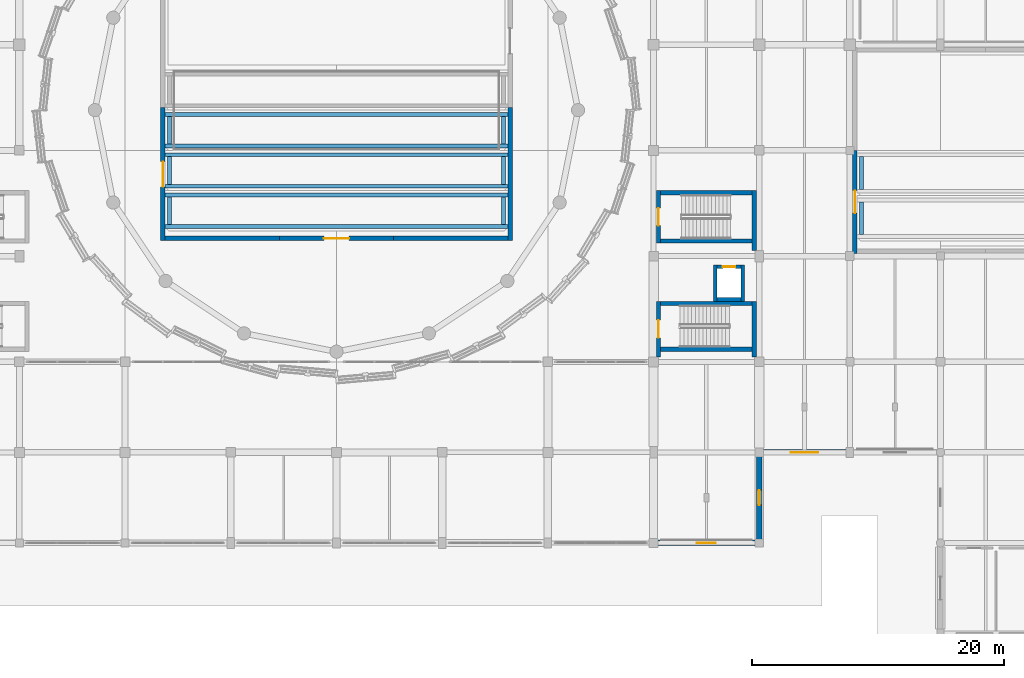
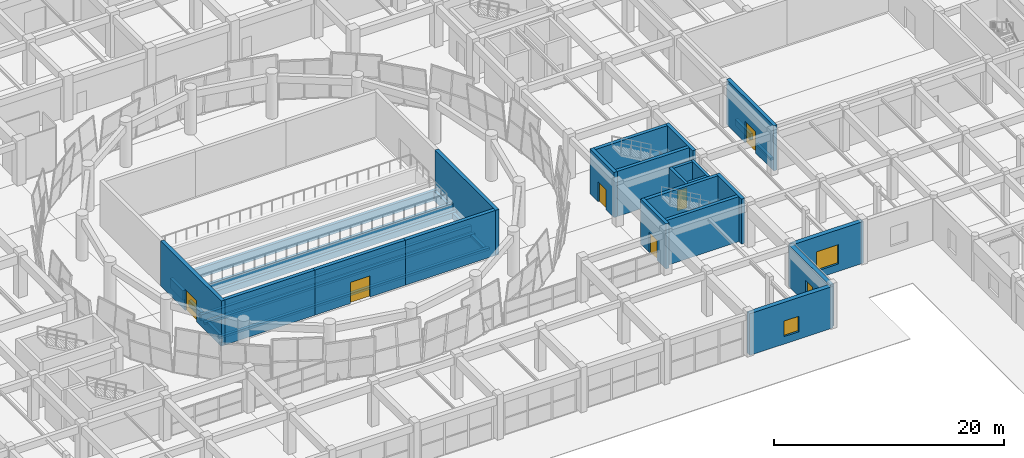
# One storey, part 47 of 72: 35 walls, 6 doors, 3 windows, 9 openings.
"""IFC4 building model written with IfcOpenShell, lengths in metres."""

from ifc_helpers import new_model, si_unit, direction, frame, frame_2d, origin, place, context, subcontext, project, spatial, rectangle, extrude, material, layer, layer_set, type_object, element, fill, save


model = new_model("IFC4")

# Units and contexts
model_context = context("Model", 3, precision=1e-05, world=origin(), true_north=direction((0.0, 1.0)))
body_context = subcontext(model_context, "Body", "Model", "MODEL_VIEW")
ifc_project = project(units=[si_unit("LENGTHUNIT", "METRE"), si_unit("AREAUNIT", "SQUARE_METRE"), si_unit("VOLUMEUNIT", "CUBIC_METRE"), si_unit("PLANEANGLEUNIT", "RADIAN"), si_unit("MASSUNIT", "GRAM", prefix="KILO")], contexts=[model_context])

# Site, building, storey
site_placement = place(None, origin())
site = spatial("IfcSite", under=ifc_project, at=site_placement, CompositionType="ELEMENT")
building_placement = place(site_placement, origin())
building = spatial("IfcBuilding", under=site, at=building_placement, Name="Korsvaeld Concert Hall", CompositionType="ELEMENT")
storey_placement = place(building_placement, origin())
storey = spatial("IfcBuildingStorey", under=building, at=storey_placement, Name="L00", CompositionType="ELEMENT", Elevation=0.0)

# Walls
ifc_material_1 = material(Name="Concrete C40/50", Category="concrete")
ifc_layer_1 = layer(ifc_material_1, 0.340087890625)
ifc_layer_set_1 = layer_set([ifc_layer_1], Name="Concrete C40/50")
wall_type_1 = type_object("IfcWallType", Name="WL-CORE-340", PredefinedType="SHEAR", material=ifc_layer_set_1)
wall_1_placement = place(storey_placement, frame((109.77001953125, 44.199951171875, 0.0), z_axis=(0.0, 0.0, 1.0), x_axis=(1.0, 0.0, 0.0)))
element("IfcWall", 1, at=wall_1_placement, inside=storey, type_object=wall_type_1, Name="Core K4 shear wall L00 S", PredefinedType="SHEAR", context=body_context, shape_type="SweptSolid", body=[
    extrude(rectangle(XDim=7.260009765625, YDim=0.340087890625, at=frame_2d((3.6298828125, 0.0))), origin(), (0.0, 0.0, 1.0), 4.800048828125),
])
wall_2_placement = place(storey_placement, frame((117.199951171875, 43.574951171875, 0.0), z_axis=(0.0, 0.0, 1.0), x_axis=(0.0, 1.0, 0.0)))
element("IfcWall", 2, at=wall_2_placement, inside=storey, type_object=wall_type_1, Name="Core K4 shear wall L00 E", PredefinedType="SHEAR", context=body_context, shape_type="SweptSolid", body=[
    extrude(rectangle(XDim=4.43505859375, YDim=0.340087890625, at=frame_2d((2.217529296875, 0.0))), origin(), (0.0, 0.0, 1.0), 4.800048828125),
])
wall_3_placement = place(storey_placement, frame((117.030029296875, 47.840087890625, 0.0), z_axis=(0.0, 0.0, 1.0), x_axis=(-1.0, 0.0, 0.0)))
element("IfcWall", 3, at=wall_3_placement, inside=storey, type_object=wall_type_1, Name="Core K4 shear wall L00 N", PredefinedType="SHEAR", context=body_context, shape_type="SweptSolid", body=[
    extrude(rectangle(XDim=7.260009765625, YDim=0.340087890625, at=frame_2d((3.6298828125, 0.0))), origin(), (0.0, 0.0, 1.0), 4.800048828125),
])

# Wall, opening, door
wall_4_placement = place(storey_placement, frame((109.60009765625, 48.010009765625, 0.0), z_axis=(0.0, 0.0, 1.0), x_axis=(0.0, -1.0, 0.0)))
wall_4 = element("IfcWall", 4, at=wall_4_placement, inside=storey, type_object=wall_type_1, Name="Core K4 shear wall L00 W", PredefinedType="SHEAR", context=body_context, shape_type="SweptSolid", body=[
    extrude(rectangle(XDim=4.409912109375, YDim=0.340087890625, at=frame_2d((2.205078125, 0.0))), origin(), (0.0, 0.0, 1.0), 4.800048828125),
])
opening_1_placement = place(wall_4_placement, frame((1.5048828125, 0.0, 0.0)))
opening_1 = element("IfcOpeningElement", 5, at=opening_1_placement, cuts=wall_4, Name="Opening FD-02", PredefinedType="OPENING", context=body_context, shape_type="SweptSolid", body=[
    extrude(rectangle(XDim=1.39990234375, YDim=2.14990234375, at=frame_2d((0.699951171875, 1.074951171875))), frame((0.0, 0.18017578125, 0.0), z_axis=(0.0, -1.0, 0.0), x_axis=(1.0, 0.0, 0.0)), (0.0, 0.0, 1.0), 0.360107421875),
])
ifc_material_2 = material(Name="Acoustic steel and oak fire door", Category="steel")
door_type_1 = type_object("IfcDoorType", Name="DR-FD-STAIR-140x215", OperationType="NOTDEFINED", PredefinedType="DOOR", material=ifc_material_2)
door_1_placement = place(opening_1_placement, frame((1.39990234375, 0.0, 0.0), z_axis=(0.0, 0.0, 1.0), x_axis=(-1.0, 0.0, 0.0)))
door_1 = element("IfcDoor", 6, at=door_1_placement, inside=storey, type_object=door_type_1, Name="Escape stair ST-K4 fire door L00", OperationType="SINGLE_SWING_LEFT", OverallHeight=2.14990234375, OverallWidth=1.39990234375, PredefinedType="DOOR", context=body_context, shape_type="SweptSolid", body=[
    extrude(rectangle(XDim=1.39990234375, YDim=2.14990234375, at=frame_2d((0.699951171875, 1.074951171875))), frame((0.0, 0.02490234375, 0.0), z_axis=(0.0, -1.0, 0.0), x_axis=(1.0, 0.0, 0.0)), (0.0, 0.0, 1.0), 0.050048828125),
])
fill(opening_1, door_1)

# Walls
wall_5_placement = place(storey_placement, frame((109.77001953125, 52.800048828125, 0.0), z_axis=(0.0, 0.0, 1.0), x_axis=(1.0, 0.0, 0.0)))
element("IfcWall", 7, at=wall_5_placement, inside=storey, type_object=wall_type_1, Name="Core F2 shear wall L00 S", PredefinedType="SHEAR", context=body_context, shape_type="SweptSolid", body=[
    extrude(rectangle(XDim=7.260009765625, YDim=0.340087890625, at=frame_2d((3.6298828125, 0.0))), origin(), (0.0, 0.0, 1.0), 4.800048828125),
])
wall_6_placement = place(storey_placement, frame((117.199951171875, 52.050048828125, 0.0), z_axis=(0.0, 0.0, 1.0), x_axis=(0.0, 1.0, 0.0)))
element("IfcWall", 8, at=wall_6_placement, inside=storey, type_object=wall_type_1, Name="Core F2 shear wall L00 E", PredefinedType="SHEAR", context=body_context, shape_type="SweptSolid", body=[
    extrude(rectangle(XDim=4.760009765625, YDim=0.340087890625, at=frame_2d((2.3798828125, 0.0))), origin(), (0.0, 0.0, 1.0), 4.800048828125),
])
wall_7_placement = place(storey_placement, frame((117.030029296875, 56.639892578125, 0.0), z_axis=(0.0, 0.0, 1.0), x_axis=(-1.0, 0.0, 0.0)))
element("IfcWall", 9, at=wall_7_placement, inside=storey, type_object=wall_type_1, Name="Core F2 shear wall L00 N", PredefinedType="SHEAR", context=body_context, shape_type="SweptSolid", body=[
    extrude(rectangle(XDim=7.260009765625, YDim=0.340087890625, at=frame_2d((3.6298828125, 0.0))), origin(), (0.0, 0.0, 1.0), 4.800048828125),
])

# Wall, opening, door
wall_8_placement = place(storey_placement, frame((109.60009765625, 56.81005859375, 0.0), z_axis=(0.0, 0.0, 1.0), x_axis=(0.0, -1.0, 0.0)))
wall_8 = element("IfcWall", 10, at=wall_8_placement, inside=storey, type_object=wall_type_1, Name="Core F2 shear wall L00 W", PredefinedType="SHEAR", context=body_context, shape_type="SweptSolid", body=[
    extrude(rectangle(XDim=4.18017578125, YDim=0.340087890625, at=frame_2d((2.090087890625, 0.0))), origin(), (0.0, 0.0, 1.0), 4.800048828125),
])
opening_2_placement = place(wall_8_placement, frame((1.389892578125, 0.0, 0.0)))
opening_2 = element("IfcOpeningElement", 11, at=opening_2_placement, cuts=wall_8, Name="Opening FD-02", PredefinedType="OPENING", context=body_context, shape_type="SweptSolid", body=[
    extrude(rectangle(XDim=1.39990234375, YDim=2.14990234375, at=frame_2d((0.699951171875, 1.074951171875))), frame((0.0, 0.18017578125, 0.0), z_axis=(0.0, -1.0, 0.0), x_axis=(1.0, 0.0, 0.0)), (0.0, 0.0, 1.0), 0.360107421875),
])
door_2_placement = place(opening_2_placement, frame((1.39990234375, 0.0, 0.0), z_axis=(0.0, 0.0, 1.0), x_axis=(-1.0, 0.0, 0.0)))
door_2 = element("IfcDoor", 12, at=door_2_placement, inside=storey, type_object=door_type_1, Name="Escape stair ST-F2 fire door L00", OperationType="SINGLE_SWING_RIGHT", OverallHeight=2.14990234375, OverallWidth=1.39990234375, PredefinedType="DOOR", context=body_context, shape_type="SweptSolid", body=[
    extrude(rectangle(XDim=1.39990234375, YDim=2.14990234375, at=frame_2d((0.699951171875, 1.074951171875))), frame((0.0, 0.02490234375, 0.0), z_axis=(0.0, -1.0, 0.0), x_axis=(1.0, 0.0, 0.0)), (0.0, 0.0, 1.0), 0.050048828125),
])
fill(opening_2, door_2)

# Wall, opening, window
ifc_material_3 = material(Name="Coastal dark grey granite plinth on Concrete C35/45", Category="masonry")
ifc_layer_2 = layer(ifc_material_3, 0.43994140625)
ifc_layer_set_2 = layer_set([ifc_layer_2], Name="Coastal dark grey granite plinth on Concrete C35/45")
wall_type_2 = type_object("IfcWallType", Name="WL-EXT-GRAN-440", PredefinedType="STANDARD", material=ifc_layer_set_2)
wall_9_placement = place(storey_placement, frame((124.800048828125, 36.0, 0.0), z_axis=(0.0, 0.0, 1.0), x_axis=(-1.0, 0.0, 0.0)))
wall_9 = element("IfcWall", 13, at=wall_9_placement, inside=storey, type_object=wall_type_2, Name="Exterior sandstone wall L00-115", PredefinedType="STANDARD", context=body_context, shape_type="SweptSolid", body=[
    extrude(rectangle(XDim=7.199951171875, YDim=0.43994140625, at=frame_2d((3.60009765625, 0.0))), origin(), (0.0, 0.0, 1.0), 4.43994140625),
])
opening_3_placement = place(wall_9_placement, frame((2.5, 0.0, 0.800048828125)))
opening_3 = element("IfcOpeningElement", 14, at=opening_3_placement, cuts=wall_9, Name="Opening WN-13", PredefinedType="OPENING", context=body_context, shape_type="SweptSolid", body=[
    extrude(rectangle(XDim=2.199951171875, YDim=2.050048828125, at=frame_2d((1.10009765625, 1.02490234375))), frame((0.0, 0.22998046875, 0.0), z_axis=(0.0, -1.0, 0.0), x_axis=(1.0, 0.0, 0.0)), (0.0, 0.0, 1.0), 0.4599609375),
])
ifc_material_4 = material(Name="Anodised bronze frame with acoustic triple glazing", Category="glass")
window_type_1 = type_object("IfcWindowType", Name="WIN-AC-220x205", PartitioningType="SINGLE_PANEL", PredefinedType="WINDOW", material=ifc_material_4)
window_1_placement = place(opening_3_placement, origin())
window_1 = element("IfcWindow", 15, at=window_1_placement, inside=storey, type_object=window_type_1, Name="Acoustic triple-glazed window L00-026", OverallHeight=2.050048828125, OverallWidth=2.199951171875, PartitioningType="SINGLE_PANEL", PredefinedType="WINDOW", context=body_context, shape_type="SweptSolid", body=[
    extrude(rectangle(XDim=2.199951171875, YDim=2.050048828125, at=frame_2d((1.10009765625, 1.02490234375))), frame((0.0, 0.030029296875, 0.0), z_axis=(0.0, -1.0, 0.0), x_axis=(1.0, 0.0, 0.0)), (0.0, 0.0, 1.0), 0.06005859375),
])
fill(opening_3, window_1)

wall_10_placement = place(storey_placement, frame((117.60009765625, 36.0, 0.0), z_axis=(0.0, 0.0, 1.0), x_axis=(0.0, -1.0, 0.0)))
wall_10 = element("IfcWall", 16, at=wall_10_placement, inside=storey, type_object=wall_type_2, Name="Exterior sandstone wall L00-116", PredefinedType="STANDARD", context=body_context, shape_type="SweptSolid", body=[
    extrude(rectangle(XDim=7.199951171875, YDim=0.43994140625, at=frame_2d((3.60009765625, 0.0))), origin(), (0.0, 0.0, 1.0), 4.43994140625),
])
opening_4_placement = place(wall_10_placement, frame((3.0, 0.0, 0.800048828125)))
opening_4 = element("IfcOpeningElement", 17, at=opening_4_placement, cuts=wall_10, Name="Opening WN-01", PredefinedType="OPENING", context=body_context, shape_type="SweptSolid", body=[
    extrude(rectangle(XDim=1.199951171875, YDim=1.64990234375, at=frame_2d((0.60009765625, 0.824951171875))), frame((0.0, 0.22998046875, 0.0), z_axis=(0.0, -1.0, 0.0), x_axis=(1.0, 0.0, 0.0)), (0.0, 0.0, 1.0), 0.4599609375),
])
window_type_2 = type_object("IfcWindowType", Name="WIN-AC-120x165", PartitioningType="SINGLE_PANEL", PredefinedType="WINDOW", material=ifc_material_4)
window_2_placement = place(opening_4_placement, origin())
window_2 = element("IfcWindow", 18, at=window_2_placement, inside=storey, type_object=window_type_2, Name="Acoustic triple-glazed window L00-027", OverallHeight=1.64990234375, OverallWidth=1.199951171875, PartitioningType="SINGLE_PANEL", PredefinedType="WINDOW", context=body_context, shape_type="SweptSolid", body=[
    extrude(rectangle(XDim=1.199951171875, YDim=1.64990234375, at=frame_2d((0.60009765625, 0.824951171875))), frame((0.0, 0.030029296875, 0.0), z_axis=(0.0, -1.0, 0.0), x_axis=(1.0, 0.0, 0.0)), (0.0, 0.0, 1.0), 0.06005859375),
])
fill(opening_4, window_2)

wall_11_placement = place(storey_placement, frame((117.60009765625, 28.800048828125, 0.0), z_axis=(0.0, 0.0, 1.0), x_axis=(-1.0, 0.0, 0.0)))
wall_11 = element("IfcWall", 19, at=wall_11_placement, inside=storey, type_object=wall_type_2, Name="Exterior sandstone wall L00-117", PredefinedType="STANDARD", context=body_context, shape_type="SweptSolid", body=[
    extrude(rectangle(XDim=8.400146484375, YDim=0.43994140625, at=frame_2d((4.2001953125, 0.0))), origin(), (0.0, 0.0, 1.0), 4.43994140625),
])
opening_5_placement = place(wall_11_placement, frame((3.449951171875, 0.0, 0.800048828125)))
opening_5 = element("IfcOpeningElement", 20, at=opening_5_placement, cuts=wall_11, Name="Opening WN-02", PredefinedType="OPENING", context=body_context, shape_type="SweptSolid", body=[
    extrude(rectangle(XDim=1.5, YDim=1.64990234375, at=frame_2d((0.75, 0.824951171875))), frame((0.0, 0.22998046875, 0.0), z_axis=(0.0, -1.0, 0.0), x_axis=(1.0, 0.0, 0.0)), (0.0, 0.0, 1.0), 0.4599609375),
])
window_type_3 = type_object("IfcWindowType", Name="WIN-AC-150x165", PartitioningType="SINGLE_PANEL", PredefinedType="WINDOW", material=ifc_material_4)
window_3_placement = place(opening_5_placement, origin())
window_3 = element("IfcWindow", 21, at=window_3_placement, inside=storey, type_object=window_type_3, Name="Acoustic triple-glazed window L00-028", OverallHeight=1.64990234375, OverallWidth=1.5, PartitioningType="SINGLE_PANEL", PredefinedType="WINDOW", context=body_context, shape_type="SweptSolid", body=[
    extrude(rectangle(XDim=1.5, YDim=1.64990234375, at=frame_2d((0.75, 0.824951171875))), frame((0.0, 0.030029296875, 0.0), z_axis=(0.0, -1.0, 0.0), x_axis=(1.0, 0.0, 0.0)), (0.0, 0.0, 1.0), 0.06005859375),
])
fill(opening_5, window_3)

# Wall
ifc_material_5 = material(Name="Bornholm Nexo crimson sandstone on Concrete C40/50", Category="masonry")
ifc_layer_3 = layer(ifc_material_5, 0.360107421875)
ifc_layer_set_3 = layer_set([ifc_layer_3], Name="Bornholm Nexo crimson sandstone on Concrete C40/50")
wall_type_3 = type_object("IfcWallType", Name="WL-HALL-360", PredefinedType="SHEAR", material=ifc_layer_set_3)
wall_12_placement = place(storey_placement, frame((70.3798828125, 53.0, 0.0), z_axis=(0.0, 0.0, 1.0), x_axis=(1.0, 0.0, 0.0)))
element("IfcWall", 22, at=wall_12_placement, inside=storey, type_object=wall_type_3, Name="Acoustic hall box wall V1H L00 S.1", PredefinedType="SHEAR", context=body_context, shape_type="SweptSolid", body=[
    extrude(rectangle(XDim=9.080078125, YDim=0.360107421875, at=frame_2d((4.5400390625, 0.0))), origin(), (0.0, 0.0, 1.0), 4.800048828125),
])

# Wall, opening, door
wall_13_placement = place(storey_placement, frame((79.4599609375, 53.0, 0.0), z_axis=(0.0, 0.0, 1.0), x_axis=(1.0, 0.0, 0.0)))
wall_13 = element("IfcWall", 23, at=wall_13_placement, inside=storey, type_object=wall_type_3, Name="Acoustic hall box wall V1H L00 S.2", PredefinedType="SHEAR", context=body_context, shape_type="SweptSolid", body=[
    extrude(rectangle(XDim=9.080078125, YDim=0.360107421875, at=frame_2d((4.5400390625, 0.0))), origin(), (0.0, 0.0, 1.0), 4.800048828125),
])
opening_6_placement = place(wall_13_placement, frame((3.5400390625, 0.0, 0.0)))
opening_6 = element("IfcOpeningElement", 24, at=opening_6_placement, cuts=wall_13, Name="Opening FD-04", PredefinedType="OPENING", context=body_context, shape_type="SweptSolid", body=[
    extrude(rectangle(XDim=2.0, YDim=2.25, at=frame_2d((1.0, 1.125))), frame((0.0, 0.18994140625, 0.0), z_axis=(0.0, -1.0, 0.0), x_axis=(1.0, 0.0, 0.0)), (0.0, 0.0, 1.0), 0.380126953125),
])
ifc_material_6 = material(Name="Double acoustic oak sound-lock fire door")
door_type_2 = type_object("IfcDoorType", Name="DR-FD-HALL-200x225", OperationType="DOUBLE_DOOR_SINGLE_SWING", PredefinedType="DOOR", material=ifc_material_6)
door_3_placement = place(opening_6_placement, frame((2.0, 0.0, 0.0), z_axis=(0.0, 0.0, 1.0), x_axis=(-1.0, 0.0, 0.0)))
door_3 = element("IfcDoor", 25, at=door_3_placement, inside=storey, type_object=door_type_2, Name="Auditorium sound-lock fire door V1H L00 S.2", OperationType="DOUBLE_DOOR_SINGLE_SWING", OverallHeight=2.25, OverallWidth=2.0, PredefinedType="DOOR", context=body_context, shape_type="SweptSolid", body=[
    extrude(rectangle(XDim=2.0, YDim=2.25, at=frame_2d((1.0, 1.125))), frame((0.0, 0.02490234375, 0.0), z_axis=(0.0, -1.0, 0.0), x_axis=(1.0, 0.0, 0.0)), (0.0, 0.0, 1.0), 0.050048828125),
])
fill(opening_6, door_3)

# Walls
wall_14_placement = place(storey_placement, frame((88.5400390625, 53.0, 0.0), z_axis=(0.0, 0.0, 1.0), x_axis=(1.0, 0.0, 0.0)))
element("IfcWall", 26, at=wall_14_placement, inside=storey, type_object=wall_type_3, Name="Acoustic hall box wall V1H L00 S.3", PredefinedType="SHEAR", context=body_context, shape_type="SweptSolid", body=[
    extrude(rectangle(XDim=9.080078125, YDim=0.360107421875, at=frame_2d((4.5400390625, 0.0))), origin(), (0.0, 0.0, 1.0), 4.800048828125),
])
wall_15_placement = place(storey_placement, frame((97.800048828125, 52.820068359375, 0.0), z_axis=(0.0, 0.0, 1.0), x_axis=(0.0, 1.0, 0.0)))
element("IfcWall", 27, at=wall_15_placement, inside=storey, type_object=wall_type_3, Name="Acoustic hall box wall V1H L00 E.1", PredefinedType="SHEAR", context=body_context, shape_type="SweptSolid", body=[
    extrude(rectangle(XDim=10.579833984375, YDim=0.360107421875, at=frame_2d((5.2900390625, 0.0))), origin(), (0.0, 0.0, 1.0), 4.800048828125),
])

# Wall, opening, door
wall_16_placement = place(storey_placement, frame((70.199951171875, 63.39990234375, 0.0), z_axis=(0.0, 0.0, 1.0), x_axis=(0.0, -1.0, 0.0)))
wall_16 = element("IfcWall", 28, at=wall_16_placement, inside=storey, type_object=wall_type_3, Name="Acoustic hall box wall V1H L00 W.2", PredefinedType="SHEAR", context=body_context, shape_type="SweptSolid", body=[
    extrude(rectangle(XDim=10.579833984375, YDim=0.360107421875, at=frame_2d((5.2900390625, 0.0))), origin(), (0.0, 0.0, 1.0), 4.800048828125),
])
opening_7_placement = place(wall_16_placement, frame((4.2900390625, 0.0, 0.0)))
opening_7 = element("IfcOpeningElement", 29, at=opening_7_placement, cuts=wall_16, Name="Opening FD-04", PredefinedType="OPENING", context=body_context, shape_type="SweptSolid", body=[
    extrude(rectangle(XDim=2.0, YDim=2.25, at=frame_2d((1.0, 1.125))), frame((0.0, 0.18994140625, 0.0), z_axis=(0.0, -1.0, 0.0), x_axis=(1.0, 0.0, 0.0)), (0.0, 0.0, 1.0), 0.380126953125),
])
door_4_placement = place(opening_7_placement, frame((2.0, 0.0, 0.0), z_axis=(0.0, 0.0, 1.0), x_axis=(-1.0, 0.0, 0.0)))
door_4 = element("IfcDoor", 30, at=door_4_placement, inside=storey, type_object=door_type_2, Name="Auditorium sound-lock fire door V1H L00 W.2", OperationType="DOUBLE_DOOR_SINGLE_SWING", OverallHeight=2.25, OverallWidth=2.0, PredefinedType="DOOR", context=body_context, shape_type="SweptSolid", body=[
    extrude(rectangle(XDim=2.0, YDim=2.25, at=frame_2d((1.0, 1.125))), frame((0.0, 0.02490234375, 0.0), z_axis=(0.0, -1.0, 0.0), x_axis=(1.0, 0.0, 0.0)), (0.0, 0.0, 1.0), 0.050048828125),
])
fill(opening_7, door_4)

wall_17_placement = place(storey_placement, frame((125.199951171875, 60.0, 0.0), z_axis=(0.0, 0.0, 1.0), x_axis=(0.0, -1.0, 0.0)))
wall_17 = element("IfcWall", 31, at=wall_17_placement, inside=storey, type_object=wall_type_3, Name="Acoustic hall box wall V2H L00 W.2", PredefinedType="SHEAR", context=body_context, shape_type="SweptSolid", body=[
    extrude(rectangle(XDim=8.179931640625, YDim=0.360107421875, at=frame_2d((4.08984375, 0.0))), origin(), (0.0, 0.0, 1.0), 4.800048828125),
])
opening_8_placement = place(wall_17_placement, frame((3.18994140625, 0.0, 0.0)))
opening_8 = element("IfcOpeningElement", 32, at=opening_8_placement, cuts=wall_17, Name="Opening FD-03", PredefinedType="OPENING", context=body_context, shape_type="SweptSolid", body=[
    extrude(rectangle(XDim=1.800048828125, YDim=2.25, at=frame_2d((0.89990234375, 1.125))), frame((0.0, 0.18994140625, 0.0), z_axis=(0.0, -1.0, 0.0), x_axis=(1.0, 0.0, 0.0)), (0.0, 0.0, 1.0), 0.380126953125),
])
door_type_3 = type_object("IfcDoorType", Name="DR-FD-HALL-180x225", OperationType="DOUBLE_DOOR_SINGLE_SWING", PredefinedType="DOOR", material=ifc_material_6)
door_5_placement = place(opening_8_placement, frame((1.800048828125, 0.0, 0.0), z_axis=(0.0, 0.0, 1.0), x_axis=(-1.0, 0.0, 0.0)))
door_5 = element("IfcDoor", 33, at=door_5_placement, inside=storey, type_object=door_type_3, Name="Auditorium sound-lock fire door V2H L00 W.2", OperationType="DOUBLE_DOOR_SINGLE_SWING", OverallHeight=2.25, OverallWidth=1.800048828125, PredefinedType="DOOR", context=body_context, shape_type="SweptSolid", body=[
    extrude(rectangle(XDim=1.800048828125, YDim=2.25, at=frame_2d((0.89990234375, 1.125))), frame((0.0, 0.02490234375, 0.0), z_axis=(0.0, -1.0, 0.0), x_axis=(1.0, 0.0, 0.0)), (0.0, 0.0, 1.0), 0.050048828125),
])
fill(opening_8, door_5)

# Walls
ifc_layer_4 = layer(ifc_material_1, 0.280029296875)
ifc_layer_set_4 = layer_set([ifc_layer_4], Name="Concrete C40/50")
wall_type_4 = type_object("IfcWallType", Name="WL-SHAFT-280", PredefinedType="SHEAR", material=ifc_layer_set_4)
wall_18_placement = place(storey_placement, frame((114.239990234375, 48.14990234375, 0.0), z_axis=(0.0, 0.0, 1.0), x_axis=(1.0, 0.0, 0.0)))
element("IfcWall", 34, at=wall_18_placement, inside=storey, type_object=wall_type_4, Name="Lift LP-06 shaft wall L00 S", PredefinedType="SHEAR", context=body_context, shape_type="SweptSolid", body=[
    extrude(rectangle(XDim=1.919921875, YDim=0.280029296875, at=frame_2d((0.9599609375, 0.0))), origin(), (0.0, 0.0, 1.0), 4.800048828125),
])
wall_19_placement = place(storey_placement, frame((116.300048828125, 48.010009765625, 0.0), z_axis=(0.0, 0.0, 1.0), x_axis=(0.0, 1.0, 0.0)))
element("IfcWall", 35, at=wall_19_placement, inside=storey, type_object=wall_type_4, Name="Lift LP-06 shaft wall L00 E", PredefinedType="SHEAR", context=body_context, shape_type="SweptSolid", body=[
    extrude(rectangle(XDim=2.8798828125, YDim=0.280029296875, at=frame_2d((1.43994140625, 0.0))), origin(), (0.0, 0.0, 1.0), 4.800048828125),
])

# Wall, opening, door
wall_20_placement = place(storey_placement, frame((116.159912109375, 50.75, 0.0), z_axis=(0.0, 0.0, 1.0), x_axis=(-1.0, 0.0, 0.0)))
wall_20 = element("IfcWall", 36, at=wall_20_placement, inside=storey, type_object=wall_type_4, Name="Lift LP-06 shaft wall L00 N", PredefinedType="SHEAR", context=body_context, shape_type="SweptSolid", body=[
    extrude(rectangle(XDim=1.919921875, YDim=0.280029296875, at=frame_2d((0.9599609375, 0.0))), origin(), (0.0, 0.0, 1.0), 4.800048828125),
])
opening_9_placement = place(wall_20_placement, frame((0.4599609375, 0.0, 0.0)))
opening_9 = element("IfcOpeningElement", 37, at=opening_9_placement, cuts=wall_20, Name="Opening LD-02", PredefinedType="OPENING", context=body_context, shape_type="SweptSolid", body=[
    extrude(rectangle(XDim=1.0, YDim=2.14990234375, at=frame_2d((0.5, 1.074951171875))), frame((0.0, 0.14990234375, 0.0), z_axis=(0.0, -1.0, 0.0), x_axis=(1.0, 0.0, 0.0)), (0.0, 0.0, 1.0), 0.300048828125),
])
ifc_material_7 = material(Name="Brushed bronze-stainless sliding lift landing door")
door_type_4 = type_object("IfcDoorType", Name="DR-LD-PASS-100x215", OperationType="NOTDEFINED", PredefinedType="DOOR", material=ifc_material_7)
door_6_placement = place(opening_9_placement, origin())
door_6 = element("IfcDoor", 38, at=door_6_placement, inside=storey, type_object=door_type_4, Name="Lift landing door LP-06 L00", OperationType="SLIDING_TO_RIGHT", OverallHeight=2.14990234375, OverallWidth=1.0, PredefinedType="DOOR", context=body_context, shape_type="SweptSolid", body=[
    extrude(rectangle(XDim=1.0, YDim=2.14990234375, at=frame_2d((0.5, 1.074951171875))), frame((0.0, 0.02490234375, 0.0), z_axis=(0.0, -1.0, 0.0), x_axis=(1.0, 0.0, 0.0)), (0.0, 0.0, 1.0), 0.050048828125),
])
fill(opening_9, door_6)

# Walls
wall_21_placement = place(storey_placement, frame((114.10009765625, 50.889892578125, 0.0), z_axis=(0.0, 0.0, 1.0), x_axis=(0.0, -1.0, 0.0)))
element("IfcWall", 39, at=wall_21_placement, inside=storey, type_object=wall_type_4, Name="Lift LP-06 shaft wall L00 W", PredefinedType="SHEAR", context=body_context, shape_type="SweptSolid", body=[
    extrude(rectangle(XDim=2.8798828125, YDim=0.280029296875, at=frame_2d((1.43994140625, 0.0))), origin(), (0.0, 0.0, 1.0), 4.800048828125),
])
ifc_layer_5 = layer(ifc_material_1, 0.300048828125)
ifc_layer_set_5 = layer_set([ifc_layer_5], Name="Concrete C40/50")
wall_type_5 = type_object("IfcWallType", Name="WL-TIER-300", PredefinedType="SHEAR", material=ifc_layer_set_5)
for number, where, z_axis, x_axis, name in (
    (40, (70.3798828125, 53.949951171875, 0.0), (0.0, 0.0, 1.0), (1.0, 0.0, 0.0), "Seating tier front riser wall V1-STALL-T1"),
    (41, (70.3798828125, 56.449951171875, 0.0), (0.0, 0.0, 1.0), (1.0, 0.0, 0.0), "Seating tier back riser wall V1-STALL-T1"),
):
    element("IfcWall", number, at=place(storey_placement, frame(where, z_axis=z_axis, x_axis=x_axis)), inside=storey, type_object=wall_type_5, Name=name, PredefinedType="SHEAR", context=body_context, shape_type="SweptSolid", body=[
        extrude(rectangle(XDim=27.240234375, YDim=0.300048828125, at=frame_2d((13.6201171875, 0.0))), origin(), (0.0, 0.0, 1.0), 0.25),
    ])
for number, where, z_axis, x_axis, name in (
    (42, (70.72998046875, 54.10009765625, 0.0), (0.0, 0.0, 1.0), (0.0, 1.0, 0.0), "Seating tier west flank wall V1-STALL-T1"),
    (43, (97.27001953125, 54.10009765625, 0.0), (0.0, 0.0, 1.0), (0.0, 1.0, 0.0), "Seating tier east flank wall V1-STALL-T1"),
):
    element("IfcWall", number, at=place(storey_placement, frame(where, z_axis=z_axis, x_axis=x_axis)), inside=storey, type_object=wall_type_5, Name=name, PredefinedType="SHEAR", context=body_context, shape_type="SweptSolid", body=[
        extrude(rectangle(XDim=2.199951171875, YDim=0.300048828125, at=frame_2d((1.10009765625, 0.0))), origin(), (0.0, 0.0, 1.0), 0.25),
    ])
for number, where, z_axis, x_axis, name in (
    (44, (70.3798828125, 57.14990234375, 0.0), (0.0, 0.0, 1.0), (1.0, 0.0, 0.0), "Seating tier front riser wall V1-STALL-T2"),
    (45, (70.3798828125, 59.64990234375, 0.0), (0.0, 0.0, 1.0), (1.0, 0.0, 0.0), "Seating tier back riser wall V1-STALL-T2"),
):
    element("IfcWall", number, at=place(storey_placement, frame(where, z_axis=z_axis, x_axis=x_axis)), inside=storey, type_object=wall_type_5, Name=name, PredefinedType="SHEAR", context=body_context, shape_type="SweptSolid", body=[
        extrude(rectangle(XDim=27.240234375, YDim=0.300048828125, at=frame_2d((13.6201171875, 0.0))), origin(), (0.0, 0.0, 1.0), 0.64990234375),
    ])
for number, where, z_axis, x_axis, name in (
    (46, (70.72998046875, 57.300048828125, 0.0), (0.0, 0.0, 1.0), (0.0, 1.0, 0.0), "Seating tier west flank wall V1-STALL-T2"),
    (47, (97.27001953125, 57.300048828125, 0.0), (0.0, 0.0, 1.0), (0.0, 1.0, 0.0), "Seating tier east flank wall V1-STALL-T2"),
):
    element("IfcWall", number, at=place(storey_placement, frame(where, z_axis=z_axis, x_axis=x_axis)), inside=storey, type_object=wall_type_5, Name=name, PredefinedType="SHEAR", context=body_context, shape_type="SweptSolid", body=[
        extrude(rectangle(XDim=2.199951171875, YDim=0.300048828125, at=frame_2d((1.10009765625, 0.0))), origin(), (0.0, 0.0, 1.0), 0.64990234375),
    ])
for number, where, z_axis, x_axis, name in (
    (48, (70.3798828125, 60.35009765625, 0.0), (0.0, 0.0, 1.0), (1.0, 0.0, 0.0), "Seating tier front riser wall V1-STALL-T3"),
    (49, (70.3798828125, 62.85009765625, 0.0), (0.0, 0.0, 1.0), (1.0, 0.0, 0.0), "Seating tier back riser wall V1-STALL-T3"),
):
    element("IfcWall", number, at=place(storey_placement, frame(where, z_axis=z_axis, x_axis=x_axis)), inside=storey, type_object=wall_type_5, Name=name, PredefinedType="SHEAR", context=body_context, shape_type="SweptSolid", body=[
        extrude(rectangle(XDim=27.240234375, YDim=0.300048828125, at=frame_2d((13.6201171875, 0.0))), origin(), (0.0, 0.0, 1.0), 1.050048828125),
    ])
for number, where, z_axis, x_axis, name in (
    (50, (70.72998046875, 60.5, 0.0), (0.0, 0.0, 1.0), (0.0, 1.0, 0.0), "Seating tier west flank wall V1-STALL-T3"),
    (51, (97.27001953125, 60.5, 0.0), (0.0, 0.0, 1.0), (0.0, 1.0, 0.0), "Seating tier east flank wall V1-STALL-T3"),
):
    element("IfcWall", number, at=place(storey_placement, frame(where, z_axis=z_axis, x_axis=x_axis)), inside=storey, type_object=wall_type_5, Name=name, PredefinedType="SHEAR", context=body_context, shape_type="SweptSolid", body=[
        extrude(rectangle(XDim=2.199951171875, YDim=0.300048828125, at=frame_2d((1.10009765625, 0.0))), origin(), (0.0, 0.0, 1.0), 1.050048828125),
    ])
wall_22_placement = place(storey_placement, frame((125.72998046875, 53.300048828125, 0.0), z_axis=(0.0, 0.0, 1.0), x_axis=(0.0, 1.0, 0.0)))
element("IfcWall", 52, at=wall_22_placement, inside=storey, type_object=wall_type_5, Name="Seating tier west flank wall V2-STALL-T1", PredefinedType="SHEAR", context=body_context, shape_type="SweptSolid", body=[
    extrude(rectangle(XDim=2.599853515625, YDim=0.300048828125, at=frame_2d((1.2998046875, 0.0))), origin(), (0.0, 0.0, 1.0), 0.25),
])
wall_23_placement = place(storey_placement, frame((125.72998046875, 56.89990234375, 0.0), z_axis=(0.0, 0.0, 1.0), x_axis=(0.0, 1.0, 0.0)))
element("IfcWall", 53, at=wall_23_placement, inside=storey, type_object=wall_type_5, Name="Seating tier west flank wall V2-STALL-T2", PredefinedType="SHEAR", context=body_context, shape_type="SweptSolid", body=[
    extrude(rectangle(XDim=2.60009765625, YDim=0.300048828125, at=frame_2d((1.300048828125, 0.0))), origin(), (0.0, 0.0, 1.0), 0.64990234375),
])

save(model, "model.ifc")
